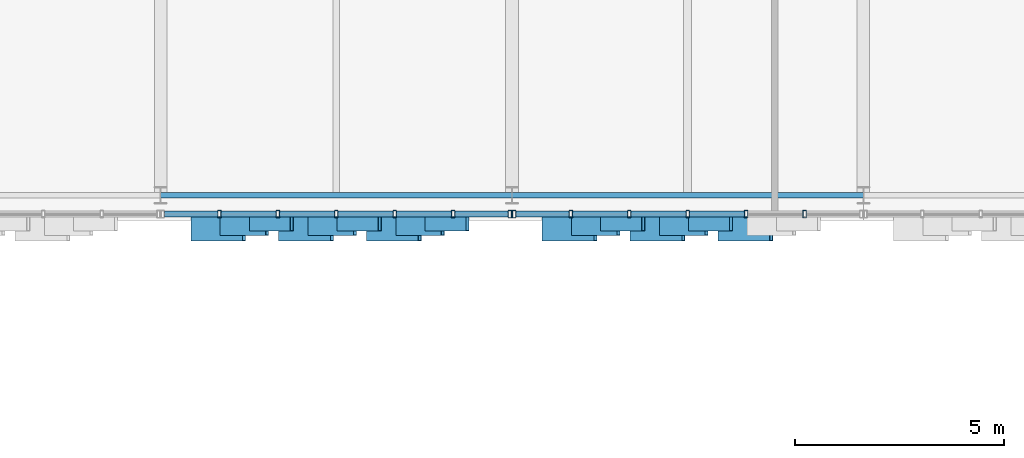
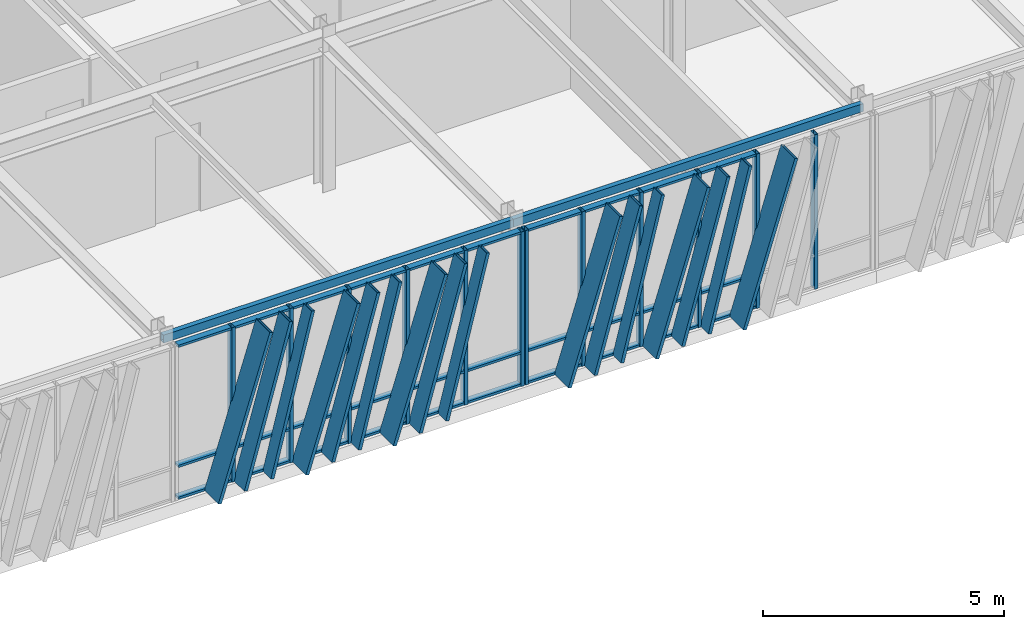
# One storey, part 23 of 127: 58 members, 2 beams, 2 elements without a shape of their own.
"""IFC4 building model written with IfcOpenShell, lengths in metres."""

from ifc_helpers import new_model, si_unit, direction, frame, origin, origin_2d, place, context, subcontext, project, spatial, hollow_rectangle, extrude, material, layer, layer_set, material_profile, profile_set, type_object, element, aggregate, save


model = new_model("IFC4")

# Units and contexts
model_context = context("Model", 3, precision=1e-05, world=origin(), true_north=direction((0.0, 1.0)))
body_context = subcontext(model_context, "Body", "Model", "MODEL_VIEW")
ifc_project = project(units=[si_unit("LENGTHUNIT", "METRE"), si_unit("AREAUNIT", "SQUARE_METRE"), si_unit("VOLUMEUNIT", "CUBIC_METRE"), si_unit("PLANEANGLEUNIT", "RADIAN"), si_unit("MASSUNIT", "GRAM", prefix="KILO")], contexts=[model_context])

# Site, building, storey
site_placement = place(None, origin())
site = spatial("IfcSite", under=ifc_project, at=site_placement, CompositionType="ELEMENT")
building_placement = place(site_placement, origin())
building = spatial("IfcBuilding", under=site, at=building_placement, Name="Zayran Congress Hotel", CompositionType="ELEMENT")
storey_placement = place(building_placement, frame((0.0, 0.0, 10.800048828125)))
storey = spatial("IfcBuildingStorey", under=building, at=storey_placement, Name="L02", CompositionType="ELEMENT", Elevation=10.800048828125)

# Beams
ifc_material_1 = material(Name="Steel S355", Category="steel")
ifc_material_profile_1 = material_profile(ifc_material_1, hollow_rectangle(XDim=0.1201171875, YDim=0.199951171875, WallThickness=0.008056640625, at=origin_2d()), Name="RHS 200x120x8")
ifc_profile_set_1 = profile_set([ifc_material_profile_1], Name="Steel S355")
beam_type = type_object("IfcBeamType", Name="TP-SP-02", PredefinedType="SPANDREL", material=ifc_profile_set_1)
for number, where, z_axis, x_axis, name in (
    (1, (33.60009765625, 68.199951171875, 3.820068359375), (1.0, 0.0, 0.0), (0.0, 1.0, 0.0), "BM-V1-L02-0655"),
    (2, (42.0, 68.199951171875, 3.820068359375), (1.0, 0.0, 0.0), (0.0, 1.0, 0.0), "BM-V1-L02-0656"),
):
    element("IfcBeam", number, at=place(storey_placement, frame(where, z_axis=z_axis, x_axis=x_axis)), inside=storey, type_object=beam_type, Name=name, PredefinedType="SPANDREL", context=body_context, shape_type="SweptSolid", body=[
        extrude(hollow_rectangle(XDim=0.1201171875, YDim=0.199951171875, WallThickness=0.008056640625, at=origin_2d()), origin(), (0.0, 0.0, 1.0), 8.39990234375),
    ])

# Curtain wall, members
ifc_material_2 = material(Name="Anodised aluminium and low-E insulated glass", Category="aluminium")
ifc_layer_1 = layer(ifc_material_2, 0.179931640625)
ifc_layer_set_1 = layer_set([ifc_layer_1], Name="Anodised aluminium and low-E insulated glass")
curtain_wall_type_1 = type_object("IfcCurtainWallType", Name="CW-V1S-L02-CW-11-8380-3920", PredefinedType="USERDEFINED", material=ifc_layer_set_1)
curtain_wall_1_placement = place(storey_placement, origin())
curtain_wall_1 = element("IfcCurtainWall", 3, at=curtain_wall_1_placement, inside=storey, type_object=curtain_wall_type_1, Name="CW-V1S-L02-3", ObjectType="CURTAIN WALL", PredefinedType="USERDEFINED")
ifc_material_3 = material(Name="Anodised aluminium framing", Category="aluminium")
ifc_material_profile_2 = material_profile(ifc_material_3, hollow_rectangle(XDim=0.080078125, YDim=0.179931640625, WallThickness=0.0048828125, at=origin_2d()), Name="RHS 180x80x5")
ifc_profile_set_2 = profile_set([ifc_material_profile_2], Name="Anodised aluminium framing")
member_type_1 = type_object("IfcMemberType", Name="TP-CWM-01", PredefinedType="MULLION", material=ifc_profile_set_2)
member_1_placement = place(storey_placement, frame((35.006591796875, 67.75, 0.0), z_axis=(0.0, 0.0, 1.0), x_axis=(1.0, 0.0, 0.0)))
member_1 = element("IfcMember", 4, at=member_1_placement, type_object=member_type_1, Name="CW-V1S-L02-3-M01", PredefinedType="MULLION", context=body_context, shape_type="SweptSolid", body=[
    extrude(hollow_rectangle(XDim=0.080078125, YDim=0.179931640625, WallThickness=0.0048828125, at=origin_2d()), origin(), (0.0, 0.0, 1.0), 3.919921875),
])
member_2_placement = place(storey_placement, frame((36.4033203125, 67.75, 0.0), z_axis=(0.0, 0.0, 1.0), x_axis=(1.0, 0.0, 0.0)))
member_2 = element("IfcMember", 5, at=member_2_placement, type_object=member_type_1, Name="CW-V1S-L02-3-M02", PredefinedType="MULLION", context=body_context, shape_type="SweptSolid", body=[
    extrude(hollow_rectangle(XDim=0.080078125, YDim=0.179931640625, WallThickness=0.0048828125, at=origin_2d()), origin(), (0.0, 0.0, 1.0), 3.919921875),
])
member_3_placement = place(storey_placement, frame((37.800048828125, 67.75, 0.0), z_axis=(0.0, 0.0, 1.0), x_axis=(1.0, 0.0, 0.0)))
member_3 = element("IfcMember", 6, at=member_3_placement, type_object=member_type_1, Name="CW-V1S-L02-3-M03", PredefinedType="MULLION", context=body_context, shape_type="SweptSolid", body=[
    extrude(hollow_rectangle(XDim=0.080078125, YDim=0.179931640625, WallThickness=0.0048828125, at=origin_2d()), origin(), (0.0, 0.0, 1.0), 3.919921875),
])
member_4_placement = place(storey_placement, frame((39.19677734375, 67.75, 0.0), z_axis=(0.0, 0.0, 1.0), x_axis=(1.0, 0.0, 0.0)))
member_4 = element("IfcMember", 7, at=member_4_placement, type_object=member_type_1, Name="CW-V1S-L02-3-M04", PredefinedType="MULLION", context=body_context, shape_type="SweptSolid", body=[
    extrude(hollow_rectangle(XDim=0.080078125, YDim=0.179931640625, WallThickness=0.0048828125, at=origin_2d()), origin(), (0.0, 0.0, 1.0), 3.919921875),
])
member_5_placement = place(storey_placement, frame((40.59326171875, 67.75, 0.0), z_axis=(0.0, 0.0, 1.0), x_axis=(1.0, 0.0, 0.0)))
member_5 = element("IfcMember", 8, at=member_5_placement, type_object=member_type_1, Name="CW-V1S-L02-3-M05", PredefinedType="MULLION", context=body_context, shape_type="SweptSolid", body=[
    extrude(hollow_rectangle(XDim=0.080078125, YDim=0.179931640625, WallThickness=0.0048828125, at=origin_2d()), origin(), (0.0, 0.0, 1.0), 3.919921875),
])
member_6_placement = place(storey_placement, frame((41.949951171875, 67.75, 0.0), z_axis=(0.0, 0.0, 1.0), x_axis=(1.0, 0.0, 0.0)))
member_6 = element("IfcMember", 9, at=member_6_placement, type_object=member_type_1, Name="CW-V1S-L02-3-M06", PredefinedType="MULLION", context=body_context, shape_type="SweptSolid", body=[
    extrude(hollow_rectangle(XDim=0.080078125, YDim=0.179931640625, WallThickness=0.0048828125, at=origin_2d()), origin(), (0.0, 0.0, 1.0), 3.919921875),
])

ifc_layer_2 = layer(ifc_material_2, 0.179931640625)
ifc_layer_set_2 = layer_set([ifc_layer_2], Name="Anodised aluminium and low-E insulated glass")
curtain_wall_type_2 = type_object("IfcCurtainWallType", Name="CW-V1S-L02-CW-12-8380-3920", PredefinedType="USERDEFINED", material=ifc_layer_set_2)
curtain_wall_2_placement = place(storey_placement, origin())
curtain_wall_2 = element("IfcCurtainWall", 10, at=curtain_wall_2_placement, inside=storey, type_object=curtain_wall_type_2, Name="CW-V1S-L02-4", ObjectType="CURTAIN WALL", PredefinedType="USERDEFINED")
member_7_placement = place(storey_placement, frame((42.050048828125, 67.75, 0.0), z_axis=(0.0, 0.0, 1.0), x_axis=(1.0, 0.0, 0.0)))
member_7 = element("IfcMember", 11, at=member_7_placement, type_object=member_type_1, Name="CW-V1S-L02-4-M00", PredefinedType="MULLION", context=body_context, shape_type="SweptSolid", body=[
    extrude(hollow_rectangle(XDim=0.080078125, YDim=0.179931640625, WallThickness=0.0048828125, at=origin_2d()), origin(), (0.0, 0.0, 1.0), 3.919921875),
])
member_8_placement = place(storey_placement, frame((43.40673828125, 67.75, 0.0), z_axis=(0.0, 0.0, 1.0), x_axis=(1.0, 0.0, 0.0)))
member_8 = element("IfcMember", 12, at=member_8_placement, type_object=member_type_1, Name="CW-V1S-L02-4-M01", PredefinedType="MULLION", context=body_context, shape_type="SweptSolid", body=[
    extrude(hollow_rectangle(XDim=0.080078125, YDim=0.179931640625, WallThickness=0.0048828125, at=origin_2d()), origin(), (0.0, 0.0, 1.0), 3.919921875),
])
member_9_placement = place(storey_placement, frame((44.80322265625, 67.75, 0.0), z_axis=(0.0, 0.0, 1.0), x_axis=(1.0, 0.0, 0.0)))
member_9 = element("IfcMember", 13, at=member_9_placement, type_object=member_type_1, Name="CW-V1S-L02-4-M02", PredefinedType="MULLION", context=body_context, shape_type="SweptSolid", body=[
    extrude(hollow_rectangle(XDim=0.080078125, YDim=0.179931640625, WallThickness=0.0048828125, at=origin_2d()), origin(), (0.0, 0.0, 1.0), 3.919921875),
])
member_10_placement = place(storey_placement, frame((46.199951171875, 67.75, 0.0), z_axis=(0.0, 0.0, 1.0), x_axis=(1.0, 0.0, 0.0)))
member_10 = element("IfcMember", 14, at=member_10_placement, type_object=member_type_1, Name="CW-V1S-L02-4-M03", PredefinedType="MULLION", context=body_context, shape_type="SweptSolid", body=[
    extrude(hollow_rectangle(XDim=0.080078125, YDim=0.179931640625, WallThickness=0.0048828125, at=origin_2d()), origin(), (0.0, 0.0, 1.0), 3.919921875),
])
member_11_placement = place(storey_placement, frame((47.5966796875, 67.75, 0.0), z_axis=(0.0, 0.0, 1.0), x_axis=(1.0, 0.0, 0.0)))
member_11 = element("IfcMember", 15, at=member_11_placement, type_object=member_type_1, Name="CW-V1S-L02-4-M04", PredefinedType="MULLION", context=body_context, shape_type="SweptSolid", body=[
    extrude(hollow_rectangle(XDim=0.080078125, YDim=0.179931640625, WallThickness=0.0048828125, at=origin_2d()), origin(), (0.0, 0.0, 1.0), 3.919921875),
])
member_12_placement = place(storey_placement, frame((48.993408203125, 67.75, 0.0), z_axis=(0.0, 0.0, 1.0), x_axis=(1.0, 0.0, 0.0)))
member_12 = element("IfcMember", 16, at=member_12_placement, type_object=member_type_1, Name="CW-V1S-L02-4-M05", PredefinedType="MULLION", context=body_context, shape_type="SweptSolid", body=[
    extrude(hollow_rectangle(XDim=0.080078125, YDim=0.179931640625, WallThickness=0.0048828125, at=origin_2d()), origin(), (0.0, 0.0, 1.0), 3.919921875),
])

# Member
ifc_material_profile_3 = material_profile(ifc_material_3, hollow_rectangle(XDim=0.06005859375, YDim=0.14990234375, WallThickness=0.00390625, at=origin_2d()), Name="RHS 150x60x4")
ifc_profile_set_3 = profile_set([ifc_material_profile_3], Name="Anodised aluminium framing")
member_type_2 = type_object("IfcMemberType", Name="TP-CWT-01", PredefinedType="USERDEFINED", material=ifc_profile_set_3)
member_13_placement = place(storey_placement, frame((33.68994140625, 67.75, 0.030029296875), z_axis=(1.0, 0.0, 0.0), x_axis=(0.0, 0.0, 1.0)))
member_13 = element("IfcMember", 17, at=member_13_placement, type_object=member_type_2, Name="CW-V1S-L02-3-T00-0", ObjectType="TRANSOM", PredefinedType="USERDEFINED", context=body_context, shape_type="SweptSolid", body=[
    extrude(hollow_rectangle(XDim=0.06005859375, YDim=0.14990234375, WallThickness=0.00390625, at=origin_2d()), origin(), (0.0, 0.0, 1.0), 1.27685546875),
])

member_14_placement = place(storey_placement, frame((33.68994140625, 67.75, 0.83984375), z_axis=(1.0, 0.0, 0.0), x_axis=(0.0, 0.0, 1.0)))
member_14 = element("IfcMember", 18, at=member_14_placement, type_object=member_type_2, Name="CW-V1S-L02-3-T00-1", ObjectType="TRANSOM", PredefinedType="USERDEFINED", context=body_context, shape_type="SweptSolid", body=[
    extrude(hollow_rectangle(XDim=0.06005859375, YDim=0.14990234375, WallThickness=0.00390625, at=origin_2d()), origin(), (0.0, 0.0, 1.0), 1.27685546875),
])

member_15_placement = place(storey_placement, frame((33.68994140625, 67.75, 3.889892578125), z_axis=(1.0, 0.0, 0.0), x_axis=(0.0, 0.0, 1.0)))
member_15 = element("IfcMember", 19, at=member_15_placement, type_object=member_type_2, Name="CW-V1S-L02-3-T00-2", ObjectType="TRANSOM", PredefinedType="USERDEFINED", context=body_context, shape_type="SweptSolid", body=[
    extrude(hollow_rectangle(XDim=0.06005859375, YDim=0.14990234375, WallThickness=0.00390625, at=origin_2d()), origin(), (0.0, 0.0, 1.0), 1.27685546875),
])

member_16_placement = place(storey_placement, frame((35.046630859375, 67.75, 0.030029296875), z_axis=(1.0, 0.0, 0.0), x_axis=(0.0, 0.0, 1.0)))
member_16 = element("IfcMember", 20, at=member_16_placement, type_object=member_type_2, Name="CW-V1S-L02-3-T01-0", ObjectType="TRANSOM", PredefinedType="USERDEFINED", context=body_context, shape_type="SweptSolid", body=[
    extrude(hollow_rectangle(XDim=0.06005859375, YDim=0.14990234375, WallThickness=0.00390625, at=origin_2d()), origin(), (0.0, 0.0, 1.0), 1.316650390625),
])

member_17_placement = place(storey_placement, frame((35.046630859375, 67.75, 0.83984375), z_axis=(1.0, 0.0, 0.0), x_axis=(0.0, 0.0, 1.0)))
member_17 = element("IfcMember", 21, at=member_17_placement, type_object=member_type_2, Name="CW-V1S-L02-3-T01-1", ObjectType="TRANSOM", PredefinedType="USERDEFINED", context=body_context, shape_type="SweptSolid", body=[
    extrude(hollow_rectangle(XDim=0.06005859375, YDim=0.14990234375, WallThickness=0.00390625, at=origin_2d()), origin(), (0.0, 0.0, 1.0), 1.316650390625),
])

member_18_placement = place(storey_placement, frame((35.046630859375, 67.75, 3.889892578125), z_axis=(1.0, 0.0, 0.0), x_axis=(0.0, 0.0, 1.0)))
member_18 = element("IfcMember", 22, at=member_18_placement, type_object=member_type_2, Name="CW-V1S-L02-3-T01-2", ObjectType="TRANSOM", PredefinedType="USERDEFINED", context=body_context, shape_type="SweptSolid", body=[
    extrude(hollow_rectangle(XDim=0.06005859375, YDim=0.14990234375, WallThickness=0.00390625, at=origin_2d()), origin(), (0.0, 0.0, 1.0), 1.316650390625),
])

member_19_placement = place(storey_placement, frame((36.443359375, 67.75, 0.030029296875), z_axis=(1.0, 0.0, 0.0), x_axis=(0.0, 0.0, 1.0)))
member_19 = element("IfcMember", 23, at=member_19_placement, type_object=member_type_2, Name="CW-V1S-L02-3-T02-0", ObjectType="TRANSOM", PredefinedType="USERDEFINED", context=body_context, shape_type="SweptSolid", body=[
    extrude(hollow_rectangle(XDim=0.06005859375, YDim=0.14990234375, WallThickness=0.00390625, at=origin_2d()), origin(), (0.0, 0.0, 1.0), 1.316650390625),
])

member_20_placement = place(storey_placement, frame((36.443359375, 67.75, 0.83984375), z_axis=(1.0, 0.0, 0.0), x_axis=(0.0, 0.0, 1.0)))
member_20 = element("IfcMember", 24, at=member_20_placement, type_object=member_type_2, Name="CW-V1S-L02-3-T02-1", ObjectType="TRANSOM", PredefinedType="USERDEFINED", context=body_context, shape_type="SweptSolid", body=[
    extrude(hollow_rectangle(XDim=0.06005859375, YDim=0.14990234375, WallThickness=0.00390625, at=origin_2d()), origin(), (0.0, 0.0, 1.0), 1.316650390625),
])

member_21_placement = place(storey_placement, frame((36.443359375, 67.75, 3.889892578125), z_axis=(1.0, 0.0, 0.0), x_axis=(0.0, 0.0, 1.0)))
member_21 = element("IfcMember", 25, at=member_21_placement, type_object=member_type_2, Name="CW-V1S-L02-3-T02-2", ObjectType="TRANSOM", PredefinedType="USERDEFINED", context=body_context, shape_type="SweptSolid", body=[
    extrude(hollow_rectangle(XDim=0.06005859375, YDim=0.14990234375, WallThickness=0.00390625, at=origin_2d()), origin(), (0.0, 0.0, 1.0), 1.316650390625),
])

member_22_placement = place(storey_placement, frame((37.840087890625, 67.75, 0.030029296875), z_axis=(1.0, 0.0, 0.0), x_axis=(0.0, 0.0, 1.0)))
member_22 = element("IfcMember", 26, at=member_22_placement, type_object=member_type_2, Name="CW-V1S-L02-3-T03-0", ObjectType="TRANSOM", PredefinedType="USERDEFINED", context=body_context, shape_type="SweptSolid", body=[
    extrude(hollow_rectangle(XDim=0.06005859375, YDim=0.14990234375, WallThickness=0.00390625, at=origin_2d()), origin(), (0.0, 0.0, 1.0), 1.316650390625),
])

member_23_placement = place(storey_placement, frame((37.840087890625, 67.75, 0.83984375), z_axis=(1.0, 0.0, 0.0), x_axis=(0.0, 0.0, 1.0)))
member_23 = element("IfcMember", 27, at=member_23_placement, type_object=member_type_2, Name="CW-V1S-L02-3-T03-1", ObjectType="TRANSOM", PredefinedType="USERDEFINED", context=body_context, shape_type="SweptSolid", body=[
    extrude(hollow_rectangle(XDim=0.06005859375, YDim=0.14990234375, WallThickness=0.00390625, at=origin_2d()), origin(), (0.0, 0.0, 1.0), 1.316650390625),
])

member_24_placement = place(storey_placement, frame((37.840087890625, 67.75, 3.889892578125), z_axis=(1.0, 0.0, 0.0), x_axis=(0.0, 0.0, 1.0)))
member_24 = element("IfcMember", 28, at=member_24_placement, type_object=member_type_2, Name="CW-V1S-L02-3-T03-2", ObjectType="TRANSOM", PredefinedType="USERDEFINED", context=body_context, shape_type="SweptSolid", body=[
    extrude(hollow_rectangle(XDim=0.06005859375, YDim=0.14990234375, WallThickness=0.00390625, at=origin_2d()), origin(), (0.0, 0.0, 1.0), 1.316650390625),
])

member_25_placement = place(storey_placement, frame((39.23681640625, 67.75, 0.030029296875), z_axis=(1.0, 0.0, 0.0), x_axis=(0.0, 0.0, 1.0)))
member_25 = element("IfcMember", 29, at=member_25_placement, type_object=member_type_2, Name="CW-V1S-L02-3-T04-0", ObjectType="TRANSOM", PredefinedType="USERDEFINED", context=body_context, shape_type="SweptSolid", body=[
    extrude(hollow_rectangle(XDim=0.06005859375, YDim=0.14990234375, WallThickness=0.00390625, at=origin_2d()), origin(), (0.0, 0.0, 1.0), 1.31640625),
])

member_26_placement = place(storey_placement, frame((39.23681640625, 67.75, 0.83984375), z_axis=(1.0, 0.0, 0.0), x_axis=(0.0, 0.0, 1.0)))
member_26 = element("IfcMember", 30, at=member_26_placement, type_object=member_type_2, Name="CW-V1S-L02-3-T04-1", ObjectType="TRANSOM", PredefinedType="USERDEFINED", context=body_context, shape_type="SweptSolid", body=[
    extrude(hollow_rectangle(XDim=0.06005859375, YDim=0.14990234375, WallThickness=0.00390625, at=origin_2d()), origin(), (0.0, 0.0, 1.0), 1.31640625),
])

member_27_placement = place(storey_placement, frame((39.23681640625, 67.75, 3.889892578125), z_axis=(1.0, 0.0, 0.0), x_axis=(0.0, 0.0, 1.0)))
member_27 = element("IfcMember", 31, at=member_27_placement, type_object=member_type_2, Name="CW-V1S-L02-3-T04-2", ObjectType="TRANSOM", PredefinedType="USERDEFINED", context=body_context, shape_type="SweptSolid", body=[
    extrude(hollow_rectangle(XDim=0.06005859375, YDim=0.14990234375, WallThickness=0.00390625, at=origin_2d()), origin(), (0.0, 0.0, 1.0), 1.31640625),
])

member_28_placement = place(storey_placement, frame((40.63330078125, 67.75, 0.030029296875), z_axis=(1.0, 0.0, 0.0), x_axis=(0.0, 0.0, 1.0)))
member_28 = element("IfcMember", 32, at=member_28_placement, type_object=member_type_2, Name="CW-V1S-L02-3-T05-0", ObjectType="TRANSOM", PredefinedType="USERDEFINED", context=body_context, shape_type="SweptSolid", body=[
    extrude(hollow_rectangle(XDim=0.06005859375, YDim=0.14990234375, WallThickness=0.00390625, at=origin_2d()), origin(), (0.0, 0.0, 1.0), 1.276611328125),
])

member_29_placement = place(storey_placement, frame((40.63330078125, 67.75, 0.83984375), z_axis=(1.0, 0.0, 0.0), x_axis=(0.0, 0.0, 1.0)))
member_29 = element("IfcMember", 33, at=member_29_placement, type_object=member_type_2, Name="CW-V1S-L02-3-T05-1", ObjectType="TRANSOM", PredefinedType="USERDEFINED", context=body_context, shape_type="SweptSolid", body=[
    extrude(hollow_rectangle(XDim=0.06005859375, YDim=0.14990234375, WallThickness=0.00390625, at=origin_2d()), origin(), (0.0, 0.0, 1.0), 1.276611328125),
])

member_30_placement = place(storey_placement, frame((40.63330078125, 67.75, 3.889892578125), z_axis=(1.0, 0.0, 0.0), x_axis=(0.0, 0.0, 1.0)))
member_30 = element("IfcMember", 34, at=member_30_placement, type_object=member_type_2, Name="CW-V1S-L02-3-T05-2", ObjectType="TRANSOM", PredefinedType="USERDEFINED", context=body_context, shape_type="SweptSolid", body=[
    extrude(hollow_rectangle(XDim=0.06005859375, YDim=0.14990234375, WallThickness=0.00390625, at=origin_2d()), origin(), (0.0, 0.0, 1.0), 1.276611328125),
])

member_31_placement = place(storey_placement, frame((42.090087890625, 67.75, 0.030029296875), z_axis=(1.0, 0.0, 0.0), x_axis=(0.0, 0.0, 1.0)))
member_31 = element("IfcMember", 35, at=member_31_placement, type_object=member_type_2, Name="CW-V1S-L02-4-T00-0", ObjectType="TRANSOM", PredefinedType="USERDEFINED", context=body_context, shape_type="SweptSolid", body=[
    extrude(hollow_rectangle(XDim=0.06005859375, YDim=0.14990234375, WallThickness=0.00390625, at=origin_2d()), origin(), (0.0, 0.0, 1.0), 1.276611328125),
])

member_32_placement = place(storey_placement, frame((42.090087890625, 67.75, 0.83984375), z_axis=(1.0, 0.0, 0.0), x_axis=(0.0, 0.0, 1.0)))
member_32 = element("IfcMember", 36, at=member_32_placement, type_object=member_type_2, Name="CW-V1S-L02-4-T00-1", ObjectType="TRANSOM", PredefinedType="USERDEFINED", context=body_context, shape_type="SweptSolid", body=[
    extrude(hollow_rectangle(XDim=0.06005859375, YDim=0.14990234375, WallThickness=0.00390625, at=origin_2d()), origin(), (0.0, 0.0, 1.0), 1.276611328125),
])

member_33_placement = place(storey_placement, frame((42.090087890625, 67.75, 3.889892578125), z_axis=(1.0, 0.0, 0.0), x_axis=(0.0, 0.0, 1.0)))
member_33 = element("IfcMember", 37, at=member_33_placement, type_object=member_type_2, Name="CW-V1S-L02-4-T00-2", ObjectType="TRANSOM", PredefinedType="USERDEFINED", context=body_context, shape_type="SweptSolid", body=[
    extrude(hollow_rectangle(XDim=0.06005859375, YDim=0.14990234375, WallThickness=0.00390625, at=origin_2d()), origin(), (0.0, 0.0, 1.0), 1.276611328125),
])

member_34_placement = place(storey_placement, frame((43.44677734375, 67.75, 0.030029296875), z_axis=(1.0, 0.0, 0.0), x_axis=(0.0, 0.0, 1.0)))
member_34 = element("IfcMember", 38, at=member_34_placement, type_object=member_type_2, Name="CW-V1S-L02-4-T01-0", ObjectType="TRANSOM", PredefinedType="USERDEFINED", context=body_context, shape_type="SweptSolid", body=[
    extrude(hollow_rectangle(XDim=0.06005859375, YDim=0.14990234375, WallThickness=0.00390625, at=origin_2d()), origin(), (0.0, 0.0, 1.0), 1.31640625),
])

member_35_placement = place(storey_placement, frame((43.44677734375, 67.75, 0.83984375), z_axis=(1.0, 0.0, 0.0), x_axis=(0.0, 0.0, 1.0)))
member_35 = element("IfcMember", 39, at=member_35_placement, type_object=member_type_2, Name="CW-V1S-L02-4-T01-1", ObjectType="TRANSOM", PredefinedType="USERDEFINED", context=body_context, shape_type="SweptSolid", body=[
    extrude(hollow_rectangle(XDim=0.06005859375, YDim=0.14990234375, WallThickness=0.00390625, at=origin_2d()), origin(), (0.0, 0.0, 1.0), 1.31640625),
])

member_36_placement = place(storey_placement, frame((43.44677734375, 67.75, 3.889892578125), z_axis=(1.0, 0.0, 0.0), x_axis=(0.0, 0.0, 1.0)))
member_36 = element("IfcMember", 40, at=member_36_placement, type_object=member_type_2, Name="CW-V1S-L02-4-T01-2", ObjectType="TRANSOM", PredefinedType="USERDEFINED", context=body_context, shape_type="SweptSolid", body=[
    extrude(hollow_rectangle(XDim=0.06005859375, YDim=0.14990234375, WallThickness=0.00390625, at=origin_2d()), origin(), (0.0, 0.0, 1.0), 1.31640625),
])

member_37_placement = place(storey_placement, frame((44.84326171875, 67.75, 0.030029296875), z_axis=(1.0, 0.0, 0.0), x_axis=(0.0, 0.0, 1.0)))
member_37 = element("IfcMember", 41, at=member_37_placement, type_object=member_type_2, Name="CW-V1S-L02-4-T02-0", ObjectType="TRANSOM", PredefinedType="USERDEFINED", context=body_context, shape_type="SweptSolid", body=[
    extrude(hollow_rectangle(XDim=0.06005859375, YDim=0.14990234375, WallThickness=0.00390625, at=origin_2d()), origin(), (0.0, 0.0, 1.0), 1.316650390625),
])

member_38_placement = place(storey_placement, frame((44.84326171875, 67.75, 0.83984375), z_axis=(1.0, 0.0, 0.0), x_axis=(0.0, 0.0, 1.0)))
member_38 = element("IfcMember", 42, at=member_38_placement, type_object=member_type_2, Name="CW-V1S-L02-4-T02-1", ObjectType="TRANSOM", PredefinedType="USERDEFINED", context=body_context, shape_type="SweptSolid", body=[
    extrude(hollow_rectangle(XDim=0.06005859375, YDim=0.14990234375, WallThickness=0.00390625, at=origin_2d()), origin(), (0.0, 0.0, 1.0), 1.316650390625),
])

member_39_placement = place(storey_placement, frame((44.84326171875, 67.75, 3.889892578125), z_axis=(1.0, 0.0, 0.0), x_axis=(0.0, 0.0, 1.0)))
member_39 = element("IfcMember", 43, at=member_39_placement, type_object=member_type_2, Name="CW-V1S-L02-4-T02-2", ObjectType="TRANSOM", PredefinedType="USERDEFINED", context=body_context, shape_type="SweptSolid", body=[
    extrude(hollow_rectangle(XDim=0.06005859375, YDim=0.14990234375, WallThickness=0.00390625, at=origin_2d()), origin(), (0.0, 0.0, 1.0), 1.316650390625),
])

member_40_placement = place(storey_placement, frame((46.239990234375, 67.75, 0.030029296875), z_axis=(1.0, 0.0, 0.0), x_axis=(0.0, 0.0, 1.0)))
member_40 = element("IfcMember", 44, at=member_40_placement, type_object=member_type_2, Name="CW-V1S-L02-4-T03-0", ObjectType="TRANSOM", PredefinedType="USERDEFINED", context=body_context, shape_type="SweptSolid", body=[
    extrude(hollow_rectangle(XDim=0.06005859375, YDim=0.14990234375, WallThickness=0.00390625, at=origin_2d()), origin(), (0.0, 0.0, 1.0), 1.316650390625),
])

member_41_placement = place(storey_placement, frame((46.239990234375, 67.75, 0.83984375), z_axis=(1.0, 0.0, 0.0), x_axis=(0.0, 0.0, 1.0)))
member_41 = element("IfcMember", 45, at=member_41_placement, type_object=member_type_2, Name="CW-V1S-L02-4-T03-1", ObjectType="TRANSOM", PredefinedType="USERDEFINED", context=body_context, shape_type="SweptSolid", body=[
    extrude(hollow_rectangle(XDim=0.06005859375, YDim=0.14990234375, WallThickness=0.00390625, at=origin_2d()), origin(), (0.0, 0.0, 1.0), 1.316650390625),
])

member_42_placement = place(storey_placement, frame((46.239990234375, 67.75, 3.889892578125), z_axis=(1.0, 0.0, 0.0), x_axis=(0.0, 0.0, 1.0)))
member_42 = element("IfcMember", 46, at=member_42_placement, type_object=member_type_2, Name="CW-V1S-L02-4-T03-2", ObjectType="TRANSOM", PredefinedType="USERDEFINED", context=body_context, shape_type="SweptSolid", body=[
    extrude(hollow_rectangle(XDim=0.06005859375, YDim=0.14990234375, WallThickness=0.00390625, at=origin_2d()), origin(), (0.0, 0.0, 1.0), 1.316650390625),
])

ifc_material_4 = material(Name="Warm bronze anodised aluminium", Category="aluminium")
ifc_material_profile_4 = material_profile(ifc_material_4, hollow_rectangle(XDim=0.080078125, YDim=0.580078125, WallThickness=0.006103515625, at=origin_2d()), Name="RHS 580x80x6")
ifc_profile_set_4 = profile_set([ifc_material_profile_4], Name="Warm bronze anodised aluminium")
member_type_3 = type_object("IfcMemberType", Name="TP-RFN-01", PredefinedType="MULLION", material=ifc_profile_set_4)
member_43_placement = place(storey_placement, frame((34.360107421875, 67.39990234375, 0.0), z_axis=(0.30068216973, 0.0, 0.953724400866), x_axis=(-0.953724400866, 0.0, 0.30068216973)))
member_43 = element("IfcMember", 47, at=member_43_placement, type_object=member_type_3, Name="Slanting Reed Mullion CW-11-01", PredefinedType="MULLION", context=body_context, shape_type="SweptSolid", body=[
    extrude(hollow_rectangle(XDim=0.080078125, YDim=0.580078125, WallThickness=0.006103515625, at=origin_2d()), origin(), (0.0, 0.0, 1.0), 4.110107421875),
])

member_44_placement = place(storey_placement, frame((36.4599609375, 67.39990234375, 0.0), z_axis=(0.300736197829, 0.0, 0.953707365661), x_axis=(-0.953707365661, 0.0, 0.300736197829)))
member_44 = element("IfcMember", 48, at=member_44_placement, type_object=member_type_3, Name="Slanting Reed Mullion CW-11-04", PredefinedType="MULLION", context=body_context, shape_type="SweptSolid", body=[
    extrude(hollow_rectangle(XDim=0.080078125, YDim=0.580078125, WallThickness=0.006103515625, at=origin_2d()), origin(), (0.0, 0.0, 1.0), 4.110107421875),
])

member_45_placement = place(storey_placement, frame((38.56005859375, 67.39990234375, 0.0), z_axis=(0.30068216973, 0.0, 0.953724400866), x_axis=(-0.953724400866, 0.0, 0.30068216973)))
member_45 = element("IfcMember", 49, at=member_45_placement, type_object=member_type_3, Name="Slanting Reed Mullion CW-11-07", PredefinedType="MULLION", context=body_context, shape_type="SweptSolid", body=[
    extrude(hollow_rectangle(XDim=0.080078125, YDim=0.580078125, WallThickness=0.006103515625, at=origin_2d()), origin(), (0.0, 0.0, 1.0), 4.110107421875),
])

member_46_placement = place(storey_placement, frame((42.760009765625, 67.39990234375, 0.0), z_axis=(0.300736197829, 0.0, 0.953707365661), x_axis=(-0.953707365661, 0.0, 0.300736197829)))
member_46 = element("IfcMember", 50, at=member_46_placement, type_object=member_type_3, Name="Slanting Reed Mullion CW-12-01", PredefinedType="MULLION", context=body_context, shape_type="SweptSolid", body=[
    extrude(hollow_rectangle(XDim=0.080078125, YDim=0.580078125, WallThickness=0.006103515625, at=origin_2d()), origin(), (0.0, 0.0, 1.0), 4.110107421875),
])

member_47_placement = place(storey_placement, frame((44.860107421875, 67.39990234375, 0.0), z_axis=(0.30068216973, 0.0, 0.953724400866), x_axis=(-0.953724400866, 0.0, 0.30068216973)))
member_47 = element("IfcMember", 51, at=member_47_placement, type_object=member_type_3, Name="Slanting Reed Mullion CW-12-04", PredefinedType="MULLION", context=body_context, shape_type="SweptSolid", body=[
    extrude(hollow_rectangle(XDim=0.080078125, YDim=0.580078125, WallThickness=0.006103515625, at=origin_2d()), origin(), (0.0, 0.0, 1.0), 4.110107421875),
])

member_48_placement = place(storey_placement, frame((46.9599609375, 67.39990234375, 0.0), z_axis=(0.300736197829, 0.0, 0.953707365661), x_axis=(-0.953707365661, 0.0, 0.300736197829)))
member_48 = element("IfcMember", 52, at=member_48_placement, type_object=member_type_3, Name="Slanting Reed Mullion CW-12-07", PredefinedType="MULLION", context=body_context, shape_type="SweptSolid", body=[
    extrude(hollow_rectangle(XDim=0.080078125, YDim=0.580078125, WallThickness=0.006103515625, at=origin_2d()), origin(), (0.0, 0.0, 1.0), 4.110107421875),
])

ifc_material_profile_5 = material_profile(ifc_material_4, hollow_rectangle(XDim=0.080078125, YDim=0.449951171875, WallThickness=0.006103515625, at=origin_2d()), Name="RHS 450x80x6")
ifc_profile_set_5 = profile_set([ifc_material_profile_5], Name="Warm bronze anodised aluminium")
member_type_4 = type_object("IfcMemberType", Name="TP-RFN-02", PredefinedType="MULLION", material=ifc_profile_set_5)
member_49_placement = place(storey_placement, frame((35.06005859375, 67.465087890625, 0.0), z_axis=(0.267253820088, 0.0, 0.963626170072), x_axis=(-0.963626170072, 0.0, 0.267253820088)))
member_49 = element("IfcMember", 53, at=member_49_placement, type_object=member_type_4, Name="Slanting Reed Mullion CW-11-02", PredefinedType="MULLION", context=body_context, shape_type="SweptSolid", body=[
    extrude(hollow_rectangle(XDim=0.080078125, YDim=0.449951171875, WallThickness=0.006103515625, at=origin_2d()), origin(), (0.0, 0.0, 1.0), 4.06787109375),
])

member_50_placement = place(storey_placement, frame((37.159912109375, 67.465087890625, 0.0), z_axis=(0.267253820088, 0.0, 0.963626170072), x_axis=(-0.963626170072, 0.0, 0.267253820088)))
member_50 = element("IfcMember", 54, at=member_50_placement, type_object=member_type_4, Name="Slanting Reed Mullion CW-11-05", PredefinedType="MULLION", context=body_context, shape_type="SweptSolid", body=[
    extrude(hollow_rectangle(XDim=0.080078125, YDim=0.449951171875, WallThickness=0.006103515625, at=origin_2d()), origin(), (0.0, 0.0, 1.0), 4.06787109375),
])

member_51_placement = place(storey_placement, frame((39.260009765625, 67.465087890625, 0.0), z_axis=(0.267253820088, 0.0, 0.963626170072), x_axis=(-0.963626170072, 0.0, 0.267253820088)))
member_51 = element("IfcMember", 55, at=member_51_placement, type_object=member_type_4, Name="Slanting Reed Mullion CW-11-08", PredefinedType="MULLION", context=body_context, shape_type="SweptSolid", body=[
    extrude(hollow_rectangle(XDim=0.080078125, YDim=0.449951171875, WallThickness=0.006103515625, at=origin_2d()), origin(), (0.0, 0.0, 1.0), 4.06787109375),
])

member_52_placement = place(storey_placement, frame((43.4599609375, 67.465087890625, 0.0), z_axis=(0.267253820088, 0.0, 0.963626170072), x_axis=(-0.963626170072, 0.0, 0.267253820088)))
member_52 = element("IfcMember", 56, at=member_52_placement, type_object=member_type_4, Name="Slanting Reed Mullion CW-12-02", PredefinedType="MULLION", context=body_context, shape_type="SweptSolid", body=[
    extrude(hollow_rectangle(XDim=0.080078125, YDim=0.449951171875, WallThickness=0.006103515625, at=origin_2d()), origin(), (0.0, 0.0, 1.0), 4.06787109375),
])

member_53_placement = place(storey_placement, frame((45.56005859375, 67.465087890625, 0.0), z_axis=(0.267253820088, 0.0, 0.963626170072), x_axis=(-0.963626170072, 0.0, 0.267253820088)))
member_53 = element("IfcMember", 57, at=member_53_placement, type_object=member_type_4, Name="Slanting Reed Mullion CW-12-05", PredefinedType="MULLION", context=body_context, shape_type="SweptSolid", body=[
    extrude(hollow_rectangle(XDim=0.080078125, YDim=0.449951171875, WallThickness=0.006103515625, at=origin_2d()), origin(), (0.0, 0.0, 1.0), 4.06787109375),
])

ifc_material_profile_6 = material_profile(ifc_material_4, hollow_rectangle(XDim=0.080078125, YDim=0.340087890625, WallThickness=0.006103515625, at=origin_2d()), Name="RHS 340x80x6")
ifc_profile_set_6 = profile_set([ifc_material_profile_6], Name="Warm bronze anodised aluminium")
member_type_5 = type_object("IfcMemberType", Name="TP-RFN-03", PredefinedType="MULLION", material=ifc_profile_set_6)
member_54_placement = place(storey_placement, frame((35.760009765625, 67.52001953125, 0.0), z_axis=(0.241909924035, 0.0, 0.970298711044), x_axis=(-0.970298711044, 0.0, 0.241909924035)))
member_54 = element("IfcMember", 58, at=member_54_placement, type_object=member_type_5, Name="Slanting Reed Mullion CW-11-03", PredefinedType="MULLION", context=body_context, shape_type="SweptSolid", body=[
    extrude(hollow_rectangle(XDim=0.080078125, YDim=0.340087890625, WallThickness=0.006103515625, at=origin_2d()), origin(), (0.0, 0.0, 1.0), 4.039794921875),
])

member_55_placement = place(storey_placement, frame((37.860107421875, 67.52001953125, 0.0), z_axis=(0.241909924035, 0.0, 0.970298711044), x_axis=(-0.970298711044, 0.0, 0.241909924035)))
member_55 = element("IfcMember", 59, at=member_55_placement, type_object=member_type_5, Name="Slanting Reed Mullion CW-11-06", PredefinedType="MULLION", context=body_context, shape_type="SweptSolid", body=[
    extrude(hollow_rectangle(XDim=0.080078125, YDim=0.340087890625, WallThickness=0.006103515625, at=origin_2d()), origin(), (0.0, 0.0, 1.0), 4.039794921875),
])

member_56_placement = place(storey_placement, frame((39.9599609375, 67.52001953125, 0.0), z_axis=(0.24196681843, 0.0, 0.970284524652), x_axis=(-0.970284524652, 0.0, 0.24196681843)))
member_56 = element("IfcMember", 60, at=member_56_placement, type_object=member_type_5, Name="Slanting Reed Mullion CW-11-09", PredefinedType="MULLION", context=body_context, shape_type="SweptSolid", body=[
    extrude(hollow_rectangle(XDim=0.080078125, YDim=0.340087890625, WallThickness=0.006103515625, at=origin_2d()), origin(), (0.0, 0.0, 1.0), 4.0400390625),
])

aggregate(curtain_wall_1, [member_1, member_2, member_3, member_4, member_5, member_6, member_13, member_14, member_15, member_16, member_17, member_18, member_19, member_20, member_21, member_22, member_23, member_24, member_25, member_26, member_27, member_28, member_29, member_30, member_43, member_49, member_54, member_44, member_50, member_55, member_45, member_51, member_56])

member_57_placement = place(storey_placement, frame((44.159912109375, 67.52001953125, 0.0), z_axis=(0.24196681843, 0.0, 0.970284524652), x_axis=(-0.970284524652, 0.0, 0.24196681843)))
member_57 = element("IfcMember", 61, at=member_57_placement, type_object=member_type_5, Name="Slanting Reed Mullion CW-12-03", PredefinedType="MULLION", context=body_context, shape_type="SweptSolid", body=[
    extrude(hollow_rectangle(XDim=0.080078125, YDim=0.340087890625, WallThickness=0.006103515625, at=origin_2d()), origin(), (0.0, 0.0, 1.0), 4.0400390625),
])

member_58_placement = place(storey_placement, frame((46.260009765625, 67.52001953125, 0.0), z_axis=(0.241909924035, 0.0, 0.970298711044), x_axis=(-0.970298711044, 0.0, 0.241909924035)))
member_58 = element("IfcMember", 62, at=member_58_placement, type_object=member_type_5, Name="Slanting Reed Mullion CW-12-06", PredefinedType="MULLION", context=body_context, shape_type="SweptSolid", body=[
    extrude(hollow_rectangle(XDim=0.080078125, YDim=0.340087890625, WallThickness=0.006103515625, at=origin_2d()), origin(), (0.0, 0.0, 1.0), 4.039794921875),
])

aggregate(curtain_wall_2, [member_7, member_8, member_9, member_10, member_11, member_12, member_31, member_32, member_33, member_34, member_35, member_36, member_37, member_38, member_39, member_40, member_41, member_42, member_46, member_52, member_57, member_47, member_53, member_58, member_48])

save(model, "model.ifc")
